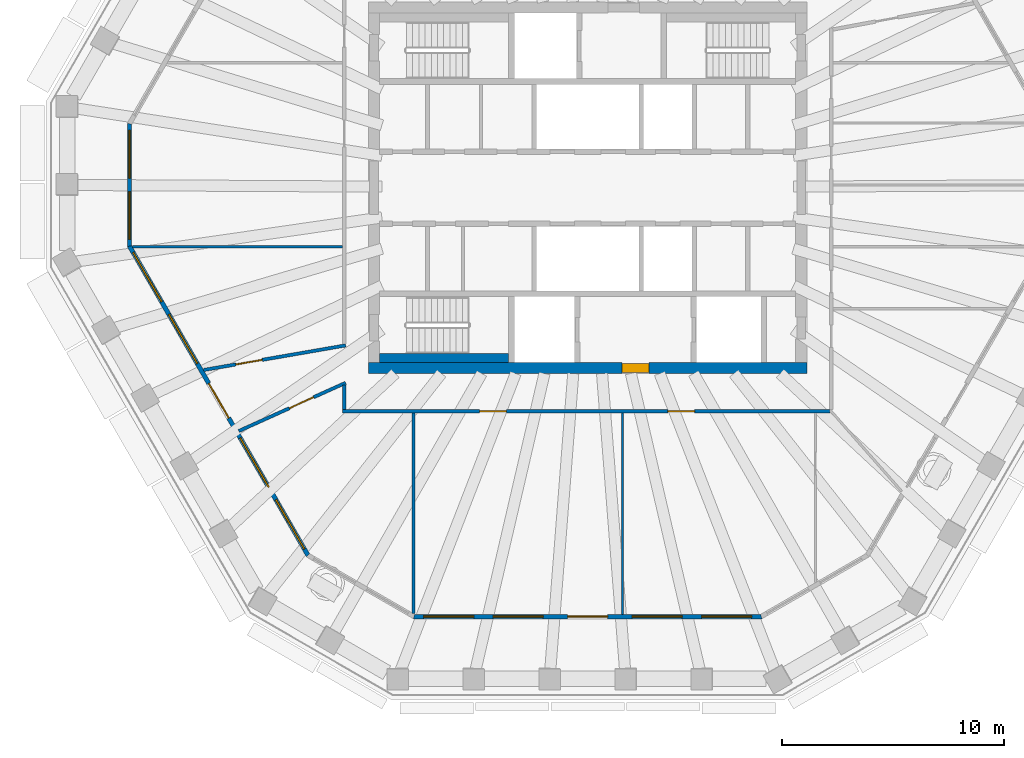
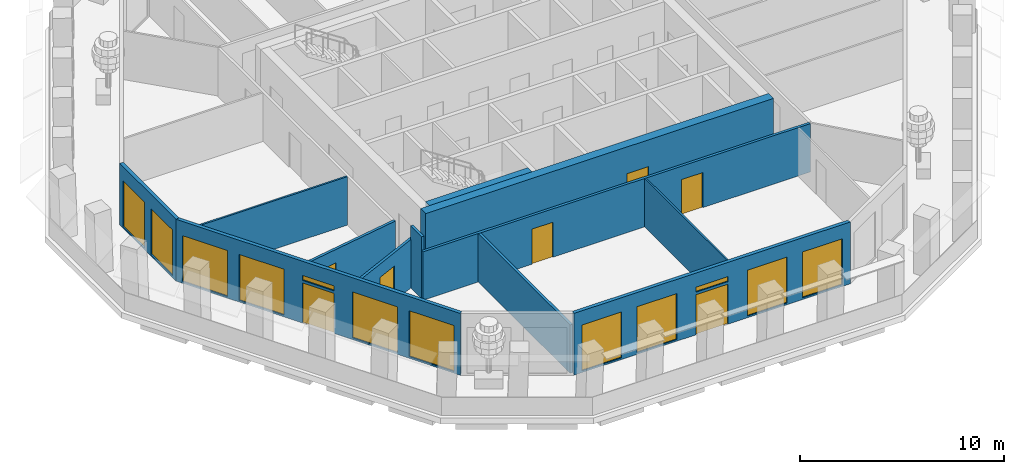
# One storey, part 3 of 12: 12 walls, 12 windows, 7 doors, 19 openings.
"""IFC4 building model written with IfcOpenShell, lengths in metres."""

from ifc_helpers import new_model, si_unit, direction, frame, frame_2d, origin, place, context, subcontext, project, spatial, polyline, rectangle, outline, extrude, material, layer, layer_set, type_object, element, fill, save


model = new_model("IFC4")

# Units and contexts
model_context = context("Model", 3, precision=1e-05, world=origin(), true_north=direction((0.0, 1.0)))
body_context = subcontext(model_context, "Body", "Model", "MODEL_VIEW")
ifc_project = project(units=[si_unit("LENGTHUNIT", "METRE"), si_unit("AREAUNIT", "SQUARE_METRE"), si_unit("VOLUMEUNIT", "CUBIC_METRE"), si_unit("PLANEANGLEUNIT", "RADIAN"), si_unit("MASSUNIT", "GRAM", prefix="KILO")], contexts=[model_context])

# Site, building, storey
site_placement = place(None, origin())
site = spatial("IfcSite", under=ifc_project, at=site_placement, CompositionType="ELEMENT")
building_placement = place(site_placement, origin())
building = spatial("IfcBuilding", under=site, at=building_placement, Name="Frailejon Research Tower", CompositionType="ELEMENT")
storey_placement = place(building_placement, frame((0.0, 0.0, 267.0)))
storey = spatial("IfcBuildingStorey", under=building, at=storey_placement, Name="L58", CompositionType="ELEMENT", Elevation=267.0)

# Wall, opening, door
ifc_material_1 = material(Name="Concrete C50/60", Category="concrete")
ifc_layer_1 = layer(ifc_material_1, 0.5)
ifc_layer_set_1 = layer_set([ifc_layer_1], Name="Core shear wall 500 C50/60")
wall_type_1 = type_object("IfcWallType", Name="Core shear wall 500 C50/60", PredefinedType="SHEAR", material=ifc_layer_set_1)
wall_1_placement = place(storey_placement, frame((-9.85009765625, -8.10009765625, 0.0), z_axis=(0.0, 0.0, 1.0), x_axis=(1.0, 0.0, 0.0)))
wall_1 = element("IfcWall", 1, at=wall_1_placement, inside=storey, type_object=wall_type_1, Name="Core shear wall", PredefinedType="SHEAR", context=body_context, shape_type="SweptSolid", body=[
    extrude(rectangle(XDim=19.7001953125, YDim=0.5, at=frame_2d((9.85009765625, 0.0))), origin(), (0.0, 0.0, 1.0), 3.699951171875),
])
opening_1_placement = place(wall_1_placement, frame((11.39990234375, 0.0, 0.0)))
opening_1 = element("IfcOpeningElement", 2, at=opening_1_placement, cuts=wall_1, Name="Opening D3", PredefinedType="OPENING", context=body_context, shape_type="SweptSolid", body=[
    extrude(rectangle(XDim=1.199951171875, YDim=2.10009765625, at=frame_2d((0.60009765625, 1.050048828125))), frame((0.0, 0.260009765625, 0.0), z_axis=(0.0, -1.0, 0.0), x_axis=(1.0, 0.0, 0.0)), (0.0, 0.0, 1.0), 0.52001953125),
])
ifc_material_2 = material(Name="Steel", Category="steel")
door_type_1 = type_object("IfcDoorType", Name="Firefighting lobby door", OperationType="SINGLE_SWING_LEFT", PredefinedType="DOOR", material=ifc_material_2)
door_1_placement = place(opening_1_placement, origin())
door_1 = element("IfcDoor", 3, at=door_1_placement, inside=storey, type_object=door_type_1, Name="Firefighting lobby door", OperationType="SINGLE_SWING_LEFT", OverallHeight=2.10009765625, OverallWidth=1.199951171875, PredefinedType="DOOR", context=body_context, shape_type="SweptSolid", body=[
    extrude(rectangle(XDim=1.199951171875, YDim=2.10009765625, at=frame_2d((0.60009765625, 1.050048828125))), frame((0.0, 0.199951171875, 0.0), z_axis=(0.0, -1.0, 0.0), x_axis=(1.0, 0.0, 0.0)), (0.0, 0.0, 1.0), 0.39990234375),
])
fill(opening_1, door_1)

# Wall
ifc_material_3 = material(Name="Gypsum board and masonry partition", Category="masonry")
ifc_layer_2 = layer(ifc_material_3, 0.14990234375)
ifc_layer_set_2 = layer_set([ifc_layer_2], Name="Corridor wall EI 60, gypsum on steel studs 150")
wall_type_2 = type_object("IfcWallType", Name="Corridor wall EI 60, gypsum on steel studs 150", PredefinedType="PARTITIONING", material=ifc_layer_set_2)
wall_2_placement = place(storey_placement, frame((-10.949951171875, -9.97509765625, 0.0), z_axis=(0.0, 0.0, 1.0), x_axis=(0.0, 1.0, 0.0)))
element("IfcWall", 4, at=wall_2_placement, inside=storey, type_object=wall_type_2, Name="T:IW:L58:006", PredefinedType="PARTITIONING", context=body_context, shape_type="SweptSolid", body=[
    extrude(rectangle(XDim=1.10009765625, YDim=0.14990234375, at=frame_2d((0.550048828125, 0.0))), origin(), (0.0, 0.0, 1.0), 3.699951171875),
])

# Wall, openings, doors
wall_3_placement = place(storey_placement, frame((-11.02490234375, -10.050048828125, 0.0), z_axis=(0.0, 0.0, 1.0), x_axis=(1.0, 0.0, 0.0)))
wall_3 = element("IfcWall", 5, at=wall_3_placement, inside=storey, type_object=wall_type_2, Name="T:IW:L58:008", PredefinedType="PARTITIONING", context=body_context, shape_type="SweptSolid", body=[
    extrude(rectangle(XDim=21.9248046875, YDim=0.14990234375, at=frame_2d((10.96240234375, 0.0))), origin(), (0.0, 0.0, 1.0), 2.89990234375),
])
opening_2_placement = place(wall_3_placement, frame((6.166748046875, 0.0, 0.0)))
opening_2 = element("IfcOpeningElement", 6, at=opening_2_placement, cuts=wall_3, Name="Opening D2125", PredefinedType="OPENING", context=body_context, shape_type="SweptSolid", body=[
    extrude(rectangle(XDim=1.199951171875, YDim=2.10009765625, at=frame_2d((0.60009765625, 1.050048828125))), frame((0.0, 0.0849609375, 0.0), z_axis=(0.0, -1.0, 0.0), x_axis=(1.0, 0.0, 0.0)), (0.0, 0.0, 1.0), 0.169921875),
])
opening_3_placement = place(wall_3_placement, frame((14.634765625, 0.0, 0.0)))
opening_3 = element("IfcOpeningElement", 7, at=opening_3_placement, cuts=wall_3, Name="Opening D2126", PredefinedType="OPENING", context=body_context, shape_type="SweptSolid", body=[
    extrude(rectangle(XDim=1.199951171875, YDim=2.10009765625, at=frame_2d((0.60009765625, 1.050048828125))), frame((0.0, 0.0849609375, 0.0), z_axis=(0.0, -1.0, 0.0), x_axis=(1.0, 0.0, 0.0)), (0.0, 0.0, 1.0), 0.169921875),
])
ifc_material_4 = material(Name="Timber door leaf", Category="wood")
door_type_2 = type_object("IfcDoorType", Name="Door single leaf, timber, steel frame 1200", OperationType="NOTDEFINED", PredefinedType="DOOR", material=ifc_material_4)
door_2_placement = place(opening_2_placement, origin())
door_2 = element("IfcDoor", 8, at=door_2_placement, inside=storey, type_object=door_type_2, Name="D2125", OperationType="DOUBLE_DOOR_SINGLE_SWING", OverallHeight=2.10009765625, OverallWidth=1.199951171875, PredefinedType="DOOR", context=body_context, shape_type="SweptSolid", body=[
    extrude(rectangle(XDim=1.199951171875, YDim=2.10009765625, at=frame_2d((0.60009765625, 1.050048828125))), frame((0.0, 0.02490234375, 0.0), z_axis=(0.0, -1.0, 0.0), x_axis=(1.0, 0.0, 0.0)), (0.0, 0.0, 1.0), 0.050048828125),
])
fill(opening_2, door_2)
door_3_placement = place(opening_3_placement, origin())
door_3 = element("IfcDoor", 9, at=door_3_placement, inside=storey, type_object=door_type_2, Name="D2126", OperationType="DOUBLE_DOOR_SINGLE_SWING", OverallHeight=2.10009765625, OverallWidth=1.199951171875, PredefinedType="DOOR", context=body_context, shape_type="SweptSolid", body=[
    extrude(rectangle(XDim=1.199951171875, YDim=2.10009765625, at=frame_2d((0.60009765625, 1.050048828125))), frame((0.0, 0.02490234375, 0.0), z_axis=(0.0, -1.0, 0.0), x_axis=(1.0, 0.0, 0.0)), (0.0, 0.0, 1.0), 0.050048828125),
])
fill(opening_3, door_3)

# Wall, opening, door
wall_4_placement = place(storey_placement, frame((-17.26611328125, -8.194091796875, 0.0), z_axis=(0.0, 0.0, 1.0), x_axis=(0.985324824704, 0.170689747267, 0.0)))
wall_4 = element("IfcWall", 10, at=wall_4_placement, inside=storey, type_object=wall_type_2, Name="T:IW:L58:009", PredefinedType="PARTITIONING", context=body_context, shape_type="SweptSolid", body=[
    extrude(rectangle(XDim=6.485107421875, YDim=0.14990234375, at=frame_2d((3.24267578125, 0.0))), origin(), (0.0, 0.0, 1.0), 2.89990234375),
])
opening_4_placement = place(wall_4_placement, frame((1.4775390625, 0.0, 0.0)))
opening_4 = element("IfcOpeningElement", 11, at=opening_4_placement, cuts=wall_4, Name="Opening D2123", PredefinedType="OPENING", context=body_context, shape_type="SweptSolid", body=[
    extrude(rectangle(XDim=1.199951171875, YDim=2.10009765625, at=frame_2d((0.60009765625, 1.050048828125))), frame((0.0, 0.0849609375, 0.0), z_axis=(0.0, -1.0, 0.0), x_axis=(1.0, 0.0, 0.0)), (0.0, 0.0, 1.0), 0.169921875),
])
door_4_placement = place(opening_4_placement, origin())
door_4 = element("IfcDoor", 12, at=door_4_placement, inside=storey, type_object=door_type_2, Name="D2123", OperationType="DOUBLE_DOOR_SINGLE_SWING", OverallHeight=2.10009765625, OverallWidth=1.199951171875, PredefinedType="DOOR", context=body_context, shape_type="SweptSolid", body=[
    extrude(rectangle(XDim=1.199951171875, YDim=2.10009765625, at=frame_2d((0.60009765625, 1.050048828125))), frame((0.0, 0.02490234375, 0.0), z_axis=(0.0, -1.0, 0.0), x_axis=(1.0, 0.0, 0.0)), (0.0, 0.0, 1.0), 0.050048828125),
])
fill(opening_4, door_4)

wall_5_placement = place(storey_placement, frame((-15.6826171875, -10.936767578125, 0.0), z_axis=(0.0, 0.0, 1.0), x_axis=(0.911404805629, 0.411510972244, 0.0)))
wall_5 = element("IfcWall", 13, at=wall_5_placement, inside=storey, type_object=wall_type_2, Name="T:IW:L58:010", PredefinedType="PARTITIONING", context=body_context, shape_type="SweptSolid", body=[
    extrude(rectangle(XDim=5.267822265625, YDim=0.14990234375, at=frame_2d((2.6337890625, 0.0))), origin(), (0.0, 0.0, 1.0), 2.89990234375),
])
opening_5_placement = place(wall_5_placement, frame((2.490234375, 0.0, 0.0)))
opening_5 = element("IfcOpeningElement", 14, at=opening_5_placement, cuts=wall_5, Name="Opening D2124", PredefinedType="OPENING", context=body_context, shape_type="SweptSolid", body=[
    extrude(rectangle(XDim=1.199951171875, YDim=2.10009765625, at=frame_2d((0.60009765625, 1.050048828125))), frame((0.0, 0.0849609375, 0.0), z_axis=(0.0, -1.0, 0.0), x_axis=(1.0, 0.0, 0.0)), (0.0, 0.0, 1.0), 0.169921875),
])
ifc_material_5 = material(Name="Timber door leaf", Category="wood")
door_type_3 = type_object("IfcDoorType", Name="Door laboratory, timber, vision panel 1200", OperationType="NOTDEFINED", PredefinedType="DOOR", material=ifc_material_5)
door_5_placement = place(opening_5_placement, origin())
door_5 = element("IfcDoor", 15, at=door_5_placement, inside=storey, type_object=door_type_3, Name="D2124", OperationType="DOUBLE_DOOR_SINGLE_SWING", OverallHeight=2.10009765625, OverallWidth=1.199951171875, PredefinedType="DOOR", context=body_context, shape_type="SweptSolid", body=[
    extrude(rectangle(XDim=1.199951171875, YDim=2.10009765625, at=frame_2d((0.60009765625, 1.050048828125))), frame((0.0, 0.02490234375, 0.0), z_axis=(0.0, -1.0, 0.0), x_axis=(1.0, 0.0, 0.0)), (0.0, 0.0, 1.0), 0.050048828125),
])
fill(opening_5, door_5)

# Walls
ifc_material_6 = material(Name="Gypsum board and masonry partition", Category="masonry")
ifc_layer_3 = layer(ifc_material_6, 0.14990234375)
ifc_layer_set_3 = layer_set([ifc_layer_3], Name="Laboratory partition, blockwork 150")
wall_type_3 = type_object("IfcWallType", Name="Laboratory partition, blockwork 150", PredefinedType="PARTITIONING", material=ifc_layer_set_3)
wall_6_placement = place(storey_placement, frame((-7.8330078125, -19.144775390625, 0.0), z_axis=(0.0, 0.0, 1.0), x_axis=(0.0, 1.0, 0.0)))
element("IfcWall", 16, at=wall_6_placement, inside=storey, type_object=wall_type_3, Name="T:IW:L58:011", PredefinedType="PARTITIONING", context=body_context, shape_type="SweptSolid", body=[
    extrude(rectangle(XDim=9.019775390625, YDim=0.14990234375, at=frame_2d((4.509765625, 0.0))), origin(), (0.0, 0.0, 1.0), 2.89990234375),
])
ifc_material_7 = material(Name="Gypsum board and masonry partition", Category="masonry")
ifc_layer_4 = layer(ifc_material_7, 0.10009765625)
ifc_layer_set_4 = layer_set([ifc_layer_4], Name="Partition, gypsum on steel studs 100")
wall_type_4 = type_object("IfcWallType", Name="Partition, gypsum on steel studs 100", PredefinedType="PARTITIONING", material=ifc_layer_set_4)
wall_7_placement = place(storey_placement, frame((-20.465576171875, -2.65283203125, 0.0), z_axis=(0.0, 0.0, 1.0), x_axis=(1.0, 0.0, 0.0)))
element("IfcWall", 17, at=wall_7_placement, inside=storey, type_object=wall_type_4, Name="T:IW:L58:023", PredefinedType="PARTITIONING", context=body_context, shape_type="SweptSolid", body=[
    extrude(rectangle(XDim=9.440673828125, YDim=0.10009765625, at=frame_2d((4.72021484375, 0.0))), origin(), (0.0, 0.0, 1.0), 2.89990234375),
])
wall_8_placement = place(storey_placement, frame((1.566650390625, -19.17578125, 0.0), z_axis=(0.0, 0.0, 1.0), x_axis=(0.0, 1.0, 0.0)))
element("IfcWall", 18, at=wall_8_placement, inside=storey, type_object=wall_type_4, Name="T:IW:L58:025", PredefinedType="PARTITIONING", context=body_context, shape_type="SweptSolid", body=[
    extrude(rectangle(XDim=9.05078125, YDim=0.10009765625, at=frame_2d((4.525390625, 0.0))), origin(), (0.0, 0.0, 1.0), 2.89990234375),
])
ifc_material_8 = material(Name="Concrete C50/60", Category="concrete")
ifc_layer_5 = layer(ifc_material_8, 0.39990234375)
ifc_layer_set_5 = layer_set([ifc_layer_5], Name="Shaft wall 400 C50/60")
wall_type_5 = type_object("IfcWallType", Name="Shaft wall 400 C50/60", PredefinedType="SOLIDWALL", material=ifc_layer_set_5)
wall_9_placement = place(storey_placement, frame((-9.35009765625, -7.64990234375, 0.0), z_axis=(0.0, 0.0, 1.0), x_axis=(1.0, 0.0, 0.0)))
element("IfcWall", 19, at=wall_9_placement, inside=storey, type_object=wall_type_5, Name="Shaft wall", PredefinedType="SOLIDWALL", context=body_context, shape_type="SweptSolid", body=[
    extrude(rectangle(XDim=5.800048828125, YDim=0.39990234375, at=frame_2d((2.89990234375, 0.0))), origin(), (0.0, 0.0, 1.0), 3.699951171875),
])

# Wall, openings, windows
ifc_material_9 = material(Name="Concrete C40/50 precast window wall panel", Category="concrete")
ifc_layer_6 = layer(ifc_material_9, 0.199951171875)
ifc_layer_set_6 = layer_set([ifc_layer_6], Name="Window wall 200")
wall_type_6 = type_object("IfcWallType", Name="Window wall 200", PredefinedType="SOLIDWALL", material=ifc_layer_set_6)
wall_10_placement = place(storey_placement, frame((-20.596435546875, 2.87744140625, 0.0), z_axis=(0.0, 0.0, 1.0), x_axis=(0.0, -1.0, 0.0)))
wall_10 = element("IfcWall", 20, at=wall_10_placement, inside=storey, type_object=wall_type_6, Name="Exterior wall L58", PredefinedType="SOLIDWALL", context=body_context, shape_type="SweptSolid", body=[
    extrude(outline(polyline([(-0.02685546875, -0.10009765625), (1.08447265625, -0.10009765625), (2.196044921875, -0.10009765625), (3.307373046875, -0.10009765625), (4.4189453125, -0.10009765625), (5.5302734375, -0.10009765625), (5.4765625, 0.10009765625), (4.38671875, 0.10009765625), (3.296630859375, 0.10009765625), (2.206787109375, 0.10009765625), (1.11669921875, 0.10009765625), (0.02685546875, 0.10009765625), (-0.02685546875, -0.10009765625)])), origin(), (0.0, 0.0, 1.0), 3.699951171875),
])
opening_6_placement = place(wall_10_placement, frame((0.30078125, 0.0, 0.10009765625)))
opening_6 = element("IfcOpeningElement", 21, at=opening_6_placement, cuts=wall_10, Name="Opening W22", PredefinedType="OPENING", context=body_context, shape_type="SweptSolid", body=[
    extrude(rectangle(XDim=2.14990234375, YDim=2.75, at=frame_2d((1.074951171875, 1.375))), frame((0.0, 0.10986328125, 0.0), z_axis=(0.0, -1.0, 0.0), x_axis=(1.0, 0.0, 0.0)), (0.0, 0.0, 1.0), 0.219970703125),
])
opening_7_placement = place(wall_10_placement, frame((3.052490234375, 0.0, 0.10009765625)))
opening_7 = element("IfcOpeningElement", 22, at=opening_7_placement, cuts=wall_10, Name="Opening W22", PredefinedType="OPENING", context=body_context, shape_type="SweptSolid", body=[
    extrude(rectangle(XDim=2.14990234375, YDim=2.75, at=frame_2d((1.074951171875, 1.375))), frame((0.0, 0.10986328125, 0.0), z_axis=(0.0, -1.0, 0.0), x_axis=(1.0, 0.0, 0.0)), (0.0, 0.0, 1.0), 0.219970703125),
])
ifc_material_10 = material(Name="Aluminium framed double glazing", Category="aluminium")
window_type_1 = type_object("IfcWindowType", Name="Window 2150x2750", PartitioningType="SINGLE_PANEL", PredefinedType="WINDOW", material=ifc_material_10)
window_1_placement = place(opening_6_placement, origin())
window_1 = element("IfcWindow", 23, at=window_1_placement, inside=storey, type_object=window_type_1, Name="Window L58", OverallHeight=2.75, OverallWidth=2.14990234375, PartitioningType="SINGLE_PANEL", PredefinedType="WINDOW", context=body_context, shape_type="SweptSolid", body=[
    extrude(rectangle(XDim=2.14990234375, YDim=2.75, at=frame_2d((1.074951171875, 1.375))), frame((0.0, 0.030029296875, 0.0), z_axis=(0.0, -1.0, 0.0), x_axis=(1.0, 0.0, 0.0)), (0.0, 0.0, 1.0), 0.06005859375),
])
fill(opening_6, window_1)
window_2_placement = place(opening_7_placement, origin())
window_2 = element("IfcWindow", 24, at=window_2_placement, inside=storey, type_object=window_type_1, Name="Window L58", OverallHeight=2.75, OverallWidth=2.14990234375, PartitioningType="SINGLE_PANEL", PredefinedType="WINDOW", context=body_context, shape_type="SweptSolid", body=[
    extrude(rectangle(XDim=2.14990234375, YDim=2.75, at=frame_2d((1.074951171875, 1.375))), frame((0.0, 0.030029296875, 0.0), z_axis=(0.0, -1.0, 0.0), x_axis=(1.0, 0.0, 0.0)), (0.0, 0.0, 1.0), 0.06005859375),
])
fill(opening_7, window_2)

# Wall, openings, door, windows
wall_11_placement = place(storey_placement, frame((-20.596435546875, -2.6259765625, 0.0), z_axis=(0.0, 0.0, 1.0), x_axis=(0.499997245374, -0.866026994163, 0.0)))
wall_11 = element("IfcWall", 25, at=wall_11_placement, inside=storey, type_object=wall_type_6, Name="Exterior wall L58", PredefinedType="SOLIDWALL", context=body_context, shape_type="SweptSolid", body=[
    extrude(outline(polyline([(-0.02685546875, -0.10009765625), (0.9794921875, -0.10009765625), (1.98583984375, -0.10009765625), (2.9921875, -0.10009765625), (3.99853515625, -0.10009765625), (5.0048828125, -0.10009765625), (6.01123046875, -0.10009765625), (7.017578125, -0.10009765625), (8.02392578125, -0.10009765625), (9.0302734375, -0.10009765625), (10.03662109375, -0.10009765625), (11.04296875, -0.10009765625), (12.04931640625, -0.10009765625), (13.0556640625, -0.10009765625), (14.06201171875, -0.10009765625), (15.068359375, -0.10009765625), (16.07470703125, -0.10009765625), (16.02099609375, 0.10009765625), (15.021484375, 0.10009765625), (14.021728515625, 0.10009765625), (13.02197265625, 0.10009765625), (12.0224609375, 0.10009765625), (11.02294921875, 0.10009765625), (10.023193359375, 0.10009765625), (9.0234375, 0.10009765625), (8.02392578125, 0.10009765625), (7.0244140625, 0.10009765625), (6.024658203125, 0.10009765625), (5.02490234375, 0.10009765625), (4.025390625, 0.10009765625), (3.02587890625, 0.10009765625), (2.026123046875, 0.10009765625), (1.0263671875, 0.10009765625), (0.02685546875, 0.10009765625), (-0.02685546875, -0.10009765625)])), origin(), (0.0, 0.0, 1.0), 3.699951171875),
])
opening_8_placement = place(wall_11_placement, frame((0.329833984375, 0.0, 0.10009765625)))
opening_8 = element("IfcOpeningElement", 26, at=opening_8_placement, cuts=wall_11, Name="Opening W25", PredefinedType="OPENING", context=body_context, shape_type="SweptSolid", body=[
    extrude(rectangle(XDim=2.550048828125, YDim=2.75, at=frame_2d((1.27490234375, 1.375))), frame((0.0, 0.10986328125, 0.0), z_axis=(0.0, -1.0, 0.0), x_axis=(1.0, 0.0, 0.0)), (0.0, 0.0, 1.0), 0.219970703125),
])
opening_9_placement = place(wall_11_placement, frame((3.539306640625, 0.0, 0.10009765625)))
opening_9 = element("IfcOpeningElement", 27, at=opening_9_placement, cuts=wall_11, Name="Opening W25", PredefinedType="OPENING", context=body_context, shape_type="SweptSolid", body=[
    extrude(rectangle(XDim=2.550048828125, YDim=2.75, at=frame_2d((1.27490234375, 1.375))), frame((0.0, 0.10986328125, 0.0), z_axis=(0.0, -1.0, 0.0), x_axis=(1.0, 0.0, 0.0)), (0.0, 0.0, 1.0), 0.219970703125),
])
opening_10_placement = place(wall_11_placement, frame((7.1240234375, 0.0, 0.0)))
opening_10 = element("IfcOpeningElement", 28, at=opening_10_placement, cuts=wall_11, Name="Opening LG58-4", PredefinedType="OPENING", context=body_context, shape_type="SweptSolid", body=[
    extrude(rectangle(XDim=1.800048828125, YDim=2.39990234375, at=frame_2d((0.89990234375, 1.199951171875))), frame((0.0, 0.10986328125, 0.0), z_axis=(0.0, -1.0, 0.0), x_axis=(1.0, 0.0, 0.0)), (0.0, 0.0, 1.0), 0.219970703125),
])
opening_11_placement = place(wall_11_placement, frame((7.1240234375, 0.0, 2.550048828125)))
opening_11 = element("IfcOpeningElement", 29, at=opening_11_placement, cuts=wall_11, Name="Opening W24", PredefinedType="OPENING", context=body_context, shape_type="SweptSolid", body=[
    extrude(rectangle(XDim=1.800048828125, YDim=0.300048828125, at=frame_2d((0.89990234375, 0.14990234375))), frame((0.0, 0.10986328125, 0.0), z_axis=(0.0, -1.0, 0.0), x_axis=(1.0, 0.0, 0.0)), (0.0, 0.0, 1.0), 0.219970703125),
])
opening_12_placement = place(wall_11_placement, frame((9.95849609375, 0.0, 0.10009765625)))
opening_12 = element("IfcOpeningElement", 30, at=opening_12_placement, cuts=wall_11, Name="Opening W25", PredefinedType="OPENING", context=body_context, shape_type="SweptSolid", body=[
    extrude(rectangle(XDim=2.550048828125, YDim=2.75, at=frame_2d((1.27490234375, 1.375))), frame((0.0, 0.10986328125, 0.0), z_axis=(0.0, -1.0, 0.0), x_axis=(1.0, 0.0, 0.0)), (0.0, 0.0, 1.0), 0.219970703125),
])
opening_13_placement = place(wall_11_placement, frame((13.168212890625, 0.0, 0.10009765625)))
opening_13 = element("IfcOpeningElement", 31, at=opening_13_placement, cuts=wall_11, Name="Opening W25", PredefinedType="OPENING", context=body_context, shape_type="SweptSolid", body=[
    extrude(rectangle(XDim=2.550048828125, YDim=2.75, at=frame_2d((1.27490234375, 1.375))), frame((0.0, 0.10986328125, 0.0), z_axis=(0.0, -1.0, 0.0), x_axis=(1.0, 0.0, 0.0)), (0.0, 0.0, 1.0), 0.219970703125),
])
ifc_material_11 = material(Name="Aluminium framed glazed door leaf", Category="aluminium")
door_type_4 = type_object("IfcDoorType", Name="Loggia door 1800x2400", OperationType="DOUBLE_DOOR_SINGLE_SWING", PredefinedType="DOOR", material=ifc_material_11)
door_6_placement = place(opening_10_placement, origin())
door_6 = element("IfcDoor", 32, at=door_6_placement, inside=storey, type_object=door_type_4, Name="Door LG58-4", OperationType="DOUBLE_DOOR_SINGLE_SWING", OverallHeight=2.39990234375, OverallWidth=1.800048828125, PredefinedType="DOOR", context=body_context, shape_type="SweptSolid", body=[
    extrude(rectangle(XDim=1.800048828125, YDim=2.39990234375, at=frame_2d((0.89990234375, 1.199951171875))), frame((0.0, 0.02490234375, 0.0), z_axis=(0.0, -1.0, 0.0), x_axis=(1.0, 0.0, 0.0)), (0.0, 0.0, 1.0), 0.050048828125),
])
fill(opening_10, door_6)
ifc_material_12 = material(Name="Aluminium framed double glazing", Category="aluminium")
window_type_2 = type_object("IfcWindowType", Name="Window 1800x300", PartitioningType="SINGLE_PANEL", PredefinedType="WINDOW", material=ifc_material_12)
window_3_placement = place(opening_11_placement, origin())
window_3 = element("IfcWindow", 33, at=window_3_placement, inside=storey, type_object=window_type_2, Name="Window L58", OverallHeight=0.300048828125, OverallWidth=1.800048828125, PartitioningType="SINGLE_PANEL", PredefinedType="WINDOW", context=body_context, shape_type="SweptSolid", body=[
    extrude(rectangle(XDim=1.800048828125, YDim=0.300048828125, at=frame_2d((0.89990234375, 0.14990234375))), frame((0.0, 0.030029296875, 0.0), z_axis=(0.0, -1.0, 0.0), x_axis=(1.0, 0.0, 0.0)), (0.0, 0.0, 1.0), 0.06005859375),
])
fill(opening_11, window_3)
ifc_material_13 = material(Name="Aluminium framed double glazing", Category="aluminium")
window_type_3 = type_object("IfcWindowType", Name="Window 2550x2750", PartitioningType="SINGLE_PANEL", PredefinedType="WINDOW", material=ifc_material_13)
window_4_placement = place(opening_8_placement, origin())
window_4 = element("IfcWindow", 34, at=window_4_placement, inside=storey, type_object=window_type_3, Name="Window L58", OverallHeight=2.75, OverallWidth=2.550048828125, PartitioningType="SINGLE_PANEL", PredefinedType="WINDOW", context=body_context, shape_type="SweptSolid", body=[
    extrude(rectangle(XDim=2.550048828125, YDim=2.75, at=frame_2d((1.27490234375, 1.375))), frame((0.0, 0.030029296875, 0.0), z_axis=(0.0, -1.0, 0.0), x_axis=(1.0, 0.0, 0.0)), (0.0, 0.0, 1.0), 0.06005859375),
])
fill(opening_8, window_4)
window_5_placement = place(opening_9_placement, origin())
window_5 = element("IfcWindow", 35, at=window_5_placement, inside=storey, type_object=window_type_3, Name="Window L58", OverallHeight=2.75, OverallWidth=2.550048828125, PartitioningType="SINGLE_PANEL", PredefinedType="WINDOW", context=body_context, shape_type="SweptSolid", body=[
    extrude(rectangle(XDim=2.550048828125, YDim=2.75, at=frame_2d((1.27490234375, 1.375))), frame((0.0, 0.030029296875, 0.0), z_axis=(0.0, -1.0, 0.0), x_axis=(1.0, 0.0, 0.0)), (0.0, 0.0, 1.0), 0.06005859375),
])
fill(opening_9, window_5)
window_6_placement = place(opening_12_placement, origin())
window_6 = element("IfcWindow", 36, at=window_6_placement, inside=storey, type_object=window_type_3, Name="Window L58", OverallHeight=2.75, OverallWidth=2.550048828125, PartitioningType="SINGLE_PANEL", PredefinedType="WINDOW", context=body_context, shape_type="SweptSolid", body=[
    extrude(rectangle(XDim=2.550048828125, YDim=2.75, at=frame_2d((1.27490234375, 1.375))), frame((0.0, 0.030029296875, 0.0), z_axis=(0.0, -1.0, 0.0), x_axis=(1.0, 0.0, 0.0)), (0.0, 0.0, 1.0), 0.06005859375),
])
fill(opening_12, window_6)
window_7_placement = place(opening_13_placement, origin())
window_7 = element("IfcWindow", 37, at=window_7_placement, inside=storey, type_object=window_type_3, Name="Window L58", OverallHeight=2.75, OverallWidth=2.550048828125, PartitioningType="SINGLE_PANEL", PredefinedType="WINDOW", context=body_context, shape_type="SweptSolid", body=[
    extrude(rectangle(XDim=2.550048828125, YDim=2.75, at=frame_2d((1.27490234375, 1.375))), frame((0.0, 0.030029296875, 0.0), z_axis=(0.0, -1.0, 0.0), x_axis=(1.0, 0.0, 0.0)), (0.0, 0.0, 1.0), 0.06005859375),
])
fill(opening_13, window_7)

wall_12_placement = place(storey_placement, frame((-7.806396484375, -19.275634765625, 0.0), z_axis=(0.0, 0.0, 1.0), x_axis=(1.0, 0.0, 0.0)))
wall_12 = element("IfcWall", 38, at=wall_12_placement, inside=storey, type_object=wall_type_6, Name="Exterior wall L58", PredefinedType="SOLIDWALL", context=body_context, shape_type="SweptSolid", body=[
    extrude(outline(polyline([(-0.02685546875, -0.10009765625), (1.017578125, -0.10009765625), (2.06201171875, -0.10009765625), (3.1064453125, -0.10009765625), (4.15087890625, -0.10009765625), (5.1953125, -0.10009765625), (6.23974609375, -0.10009765625), (7.2841796875, -0.10009765625), (8.32861328125, -0.10009765625), (9.373046875, -0.10009765625), (10.41748046875, -0.10009765625), (11.4619140625, -0.10009765625), (12.50634765625, -0.10009765625), (13.55078125, -0.10009765625), (14.59521484375, -0.10009765625), (15.6396484375, -0.10009765625), (15.5859375, 0.10009765625), (14.548583984375, 0.10009765625), (13.511474609375, 0.10009765625), (12.47412109375, 0.10009765625), (11.436767578125, 0.10009765625), (10.399658203125, 0.10009765625), (9.3623046875, 0.10009765625), (8.324951171875, 0.10009765625), (7.287841796875, 0.10009765625), (6.25048828125, 0.10009765625), (5.213134765625, 0.10009765625), (4.176025390625, 0.10009765625), (3.138671875, 0.10009765625), (2.101318359375, 0.10009765625), (1.064208984375, 0.10009765625), (0.02685546875, 0.10009765625), (-0.02685546875, -0.10009765625)])), origin(), (0.0, 0.0, 1.0), 3.699951171875),
])
opening_14_placement = place(wall_12_placement, frame((0.436279296875, 0.0, 0.10009765625)))
opening_14 = element("IfcOpeningElement", 39, at=opening_14_placement, cuts=wall_12, Name="Opening W23", PredefinedType="OPENING", context=body_context, shape_type="SweptSolid", body=[
    extrude(rectangle(XDim=2.25, YDim=2.75, at=frame_2d((1.125, 1.375))), frame((0.0, 0.10986328125, 0.0), z_axis=(0.0, -1.0, 0.0), x_axis=(1.0, 0.0, 0.0)), (0.0, 0.0, 1.0), 0.219970703125),
])
opening_15_placement = place(wall_12_placement, frame((3.558837890625, 0.0, 0.10009765625)))
opening_15 = element("IfcOpeningElement", 40, at=opening_15_placement, cuts=wall_12, Name="Opening W23", PredefinedType="OPENING", context=body_context, shape_type="SweptSolid", body=[
    extrude(rectangle(XDim=2.25, YDim=2.75, at=frame_2d((1.125, 1.375))), frame((0.0, 0.10986328125, 0.0), z_axis=(0.0, -1.0, 0.0), x_axis=(1.0, 0.0, 0.0)), (0.0, 0.0, 1.0), 0.219970703125),
])
opening_16_placement = place(wall_12_placement, frame((6.90625, 0.0, 0.0)))
opening_16 = element("IfcOpeningElement", 41, at=opening_16_placement, cuts=wall_12, Name="Opening LG58-5", PredefinedType="OPENING", context=body_context, shape_type="SweptSolid", body=[
    extrude(rectangle(XDim=1.800048828125, YDim=2.39990234375, at=frame_2d((0.89990234375, 1.199951171875))), frame((0.0, 0.10986328125, 0.0), z_axis=(0.0, -1.0, 0.0), x_axis=(1.0, 0.0, 0.0)), (0.0, 0.0, 1.0), 0.219970703125),
])
opening_17_placement = place(wall_12_placement, frame((6.90625, 0.0, 2.550048828125)))
opening_17 = element("IfcOpeningElement", 42, at=opening_17_placement, cuts=wall_12, Name="Opening W24", PredefinedType="OPENING", context=body_context, shape_type="SweptSolid", body=[
    extrude(rectangle(XDim=1.800048828125, YDim=0.300048828125, at=frame_2d((0.89990234375, 0.14990234375))), frame((0.0, 0.10986328125, 0.0), z_axis=(0.0, -1.0, 0.0), x_axis=(1.0, 0.0, 0.0)), (0.0, 0.0, 1.0), 0.219970703125),
])
opening_18_placement = place(wall_12_placement, frame((9.8037109375, 0.0, 0.10009765625)))
opening_18 = element("IfcOpeningElement", 43, at=opening_18_placement, cuts=wall_12, Name="Opening W23", PredefinedType="OPENING", context=body_context, shape_type="SweptSolid", body=[
    extrude(rectangle(XDim=2.25, YDim=2.75, at=frame_2d((1.125, 1.375))), frame((0.0, 0.10986328125, 0.0), z_axis=(0.0, -1.0, 0.0), x_axis=(1.0, 0.0, 0.0)), (0.0, 0.0, 1.0), 0.219970703125),
])
opening_19_placement = place(wall_12_placement, frame((12.92626953125, 0.0, 0.10009765625)))
opening_19 = element("IfcOpeningElement", 44, at=opening_19_placement, cuts=wall_12, Name="Opening W23", PredefinedType="OPENING", context=body_context, shape_type="SweptSolid", body=[
    extrude(rectangle(XDim=2.25, YDim=2.75, at=frame_2d((1.125, 1.375))), frame((0.0, 0.10986328125, 0.0), z_axis=(0.0, -1.0, 0.0), x_axis=(1.0, 0.0, 0.0)), (0.0, 0.0, 1.0), 0.219970703125),
])
door_7_placement = place(opening_16_placement, origin())
door_7 = element("IfcDoor", 45, at=door_7_placement, inside=storey, type_object=door_type_4, Name="Door LG58-5", OperationType="DOUBLE_DOOR_SINGLE_SWING", OverallHeight=2.39990234375, OverallWidth=1.800048828125, PredefinedType="DOOR", context=body_context, shape_type="SweptSolid", body=[
    extrude(rectangle(XDim=1.800048828125, YDim=2.39990234375, at=frame_2d((0.89990234375, 1.199951171875))), frame((0.0, 0.02490234375, 0.0), z_axis=(0.0, -1.0, 0.0), x_axis=(1.0, 0.0, 0.0)), (0.0, 0.0, 1.0), 0.050048828125),
])
fill(opening_16, door_7)
window_8_placement = place(opening_17_placement, origin())
window_8 = element("IfcWindow", 46, at=window_8_placement, inside=storey, type_object=window_type_2, Name="Window L58", OverallHeight=0.300048828125, OverallWidth=1.800048828125, PartitioningType="SINGLE_PANEL", PredefinedType="WINDOW", context=body_context, shape_type="SweptSolid", body=[
    extrude(rectangle(XDim=1.800048828125, YDim=0.300048828125, at=frame_2d((0.89990234375, 0.14990234375))), frame((0.0, 0.030029296875, 0.0), z_axis=(0.0, -1.0, 0.0), x_axis=(1.0, 0.0, 0.0)), (0.0, 0.0, 1.0), 0.06005859375),
])
fill(opening_17, window_8)
ifc_material_14 = material(Name="Aluminium framed double glazing", Category="aluminium")
window_type_4 = type_object("IfcWindowType", Name="Window 2250x2750", PartitioningType="SINGLE_PANEL", PredefinedType="WINDOW", material=ifc_material_14)
window_9_placement = place(opening_14_placement, origin())
window_9 = element("IfcWindow", 47, at=window_9_placement, inside=storey, type_object=window_type_4, Name="Window L58", OverallHeight=2.75, OverallWidth=2.25, PartitioningType="SINGLE_PANEL", PredefinedType="WINDOW", context=body_context, shape_type="SweptSolid", body=[
    extrude(rectangle(XDim=2.25, YDim=2.75, at=frame_2d((1.125, 1.375))), frame((0.0, 0.030029296875, 0.0), z_axis=(0.0, -1.0, 0.0), x_axis=(1.0, 0.0, 0.0)), (0.0, 0.0, 1.0), 0.06005859375),
])
fill(opening_14, window_9)
window_10_placement = place(opening_15_placement, origin())
window_10 = element("IfcWindow", 48, at=window_10_placement, inside=storey, type_object=window_type_4, Name="Window L58", OverallHeight=2.75, OverallWidth=2.25, PartitioningType="SINGLE_PANEL", PredefinedType="WINDOW", context=body_context, shape_type="SweptSolid", body=[
    extrude(rectangle(XDim=2.25, YDim=2.75, at=frame_2d((1.125, 1.375))), frame((0.0, 0.030029296875, 0.0), z_axis=(0.0, -1.0, 0.0), x_axis=(1.0, 0.0, 0.0)), (0.0, 0.0, 1.0), 0.06005859375),
])
fill(opening_15, window_10)
window_11_placement = place(opening_18_placement, origin())
window_11 = element("IfcWindow", 49, at=window_11_placement, inside=storey, type_object=window_type_4, Name="Window L58", OverallHeight=2.75, OverallWidth=2.25, PartitioningType="SINGLE_PANEL", PredefinedType="WINDOW", context=body_context, shape_type="SweptSolid", body=[
    extrude(rectangle(XDim=2.25, YDim=2.75, at=frame_2d((1.125, 1.375))), frame((0.0, 0.030029296875, 0.0), z_axis=(0.0, -1.0, 0.0), x_axis=(1.0, 0.0, 0.0)), (0.0, 0.0, 1.0), 0.06005859375),
])
fill(opening_18, window_11)
window_12_placement = place(opening_19_placement, origin())
window_12 = element("IfcWindow", 50, at=window_12_placement, inside=storey, type_object=window_type_4, Name="Window L58", OverallHeight=2.75, OverallWidth=2.25, PartitioningType="SINGLE_PANEL", PredefinedType="WINDOW", context=body_context, shape_type="SweptSolid", body=[
    extrude(rectangle(XDim=2.25, YDim=2.75, at=frame_2d((1.125, 1.375))), frame((0.0, 0.030029296875, 0.0), z_axis=(0.0, -1.0, 0.0), x_axis=(1.0, 0.0, 0.0)), (0.0, 0.0, 1.0), 0.06005859375),
])
fill(opening_19, window_12)

save(model, "model.ifc")
